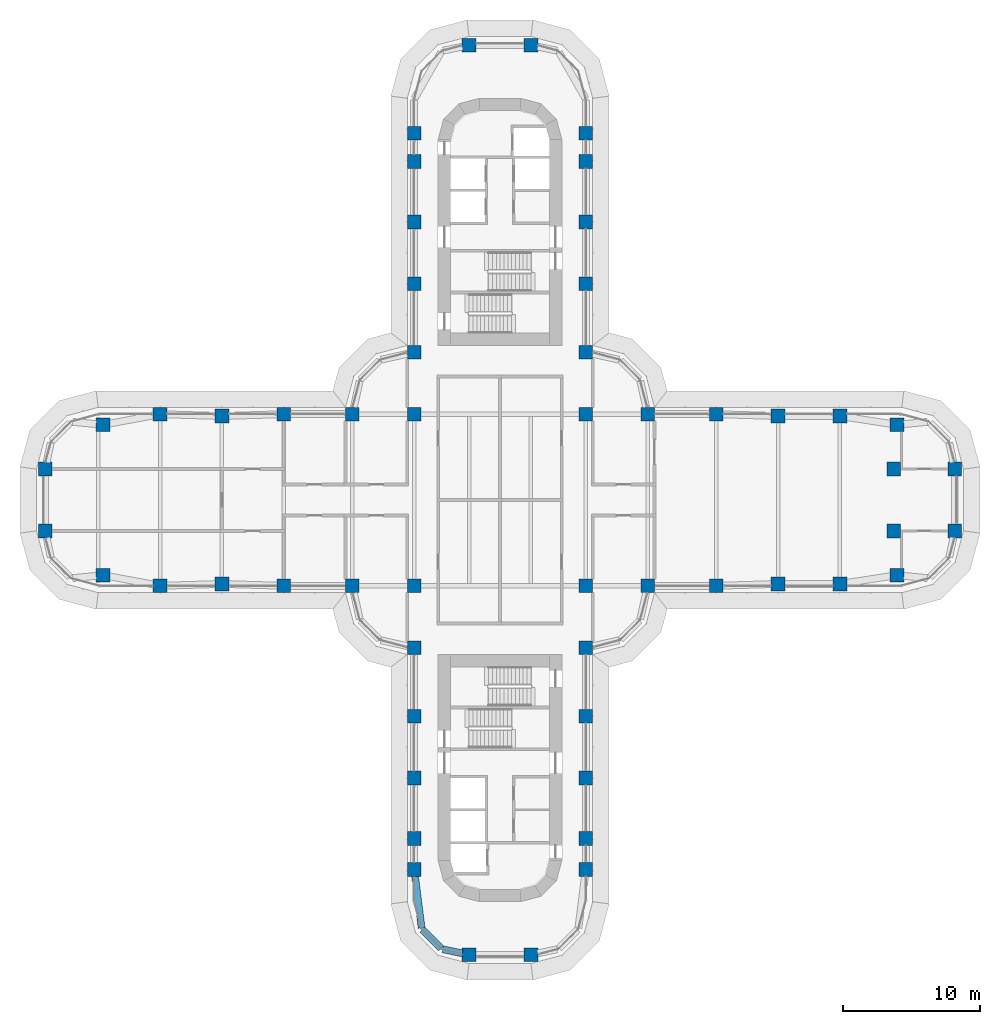
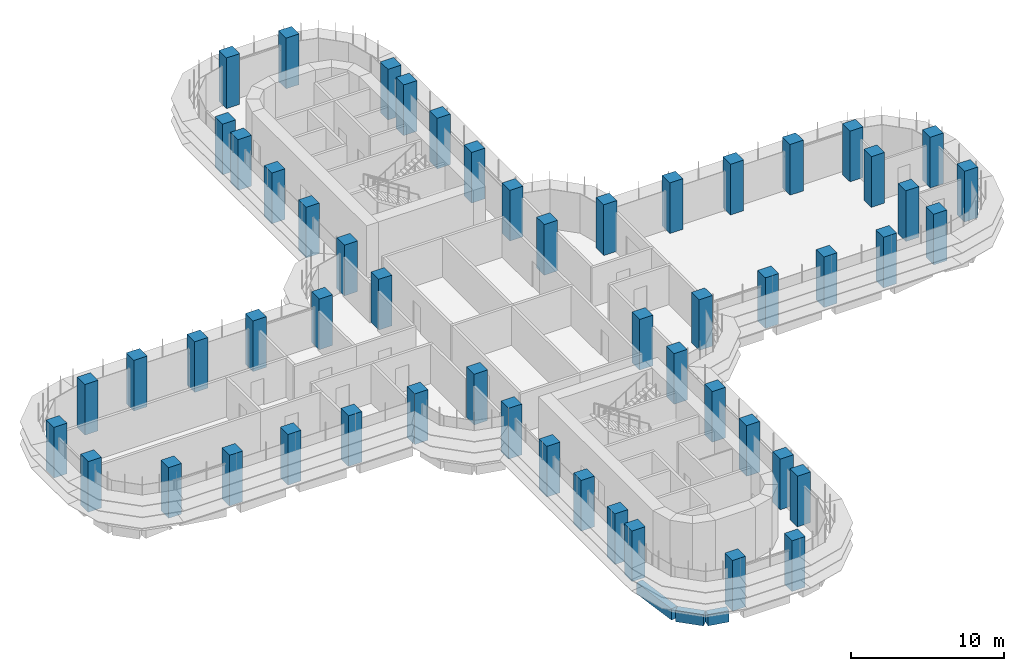
# One storey, part 1 of 23: 54 columns, 3 beams.
"""IFC4 building model written with IfcOpenShell, lengths in metres."""

from ifc_helpers import new_model, si_unit, direction, frame, origin, origin_2d, place, context, subcontext, project, spatial, rectangle, extrude, material, material_profile, profile_set, type_object, element, save


model = new_model("IFC4")

# Units and contexts
model_context = context("Model", 3, precision=1e-05, world=origin(), true_north=direction((0.0, 1.0)))
body_context = subcontext(model_context, "Body", "Model", "MODEL_VIEW")
ifc_project = project(units=[si_unit("LENGTHUNIT", "METRE"), si_unit("AREAUNIT", "SQUARE_METRE"), si_unit("VOLUMEUNIT", "CUBIC_METRE"), si_unit("PLANEANGLEUNIT", "RADIAN"), si_unit("MASSUNIT", "GRAM", prefix="KILO")], contexts=[model_context])

# Site, building, storey
site_placement = place(None, origin())
site = spatial("IfcSite", under=ifc_project, at=site_placement, CompositionType="ELEMENT")
building_placement = place(site_placement, origin())
building = spatial("IfcBuilding", under=site, at=building_placement, Name="Zarbagh Exchange Tower", CompositionType="ELEMENT")
storey_placement = place(building_placement, frame((0.0, 0.0, 60.60009765625)))
storey = spatial("IfcBuildingStorey", under=building, at=storey_placement, Name="L13", CompositionType="ELEMENT", Elevation=60.60009765625)

# Columns
ifc_material = material(Name="Concrete C60/75", Category="concrete")
ifc_material_profile_1 = material_profile(ifc_material, rectangle(XDim=1.0, YDim=1.0, at=origin_2d()), Name="RC column 1000 x 1000 C60/75")
ifc_profile_set_1 = profile_set([ifc_material_profile_1], Name="Concrete C60/75")
column_type = type_object("IfcColumnType", Name="RC column 1000 x 1000 C60/75", PredefinedType="COLUMN", material=ifc_profile_set_1)
for number, where, z_axis, x_axis, name in (
    (1, (-33.110107421875, -2.25, 0.0), (0.0, 0.0, 1.0), (1.0, 0.0, 0.0), "C2 10/S"),
    (2, (-33.110107421875, 2.25, 0.0), (0.0, 0.0, 1.0), (1.0, 0.0, 0.0), "C2 10/T"),
    (3, (-28.907958984375, -5.47509765625, 0.0), (0.0, 0.0, 1.0), (1.0, 0.0, 0.0), "C2 11/R"),
    (4, (-28.907958984375, 5.47509765625, 0.0), (0.0, 0.0, 1.0), (1.0, 0.0, 0.0), "C2 11/U"),
    (5, (-24.75, -6.25, 0.0), (0.0, 0.0, 1.0), (1.0, 0.0, 0.0), "C2 12/R"),
    (6, (-24.75, 6.25, 0.0), (0.0, 0.0, 1.0), (1.0, 0.0, 0.0), "C2 12/U"),
    (7, (-20.25, -6.110107421875, 0.0), (0.0, 0.0, 1.0), (1.0, 0.0, 0.0), "C2 13/R"),
    (8, (-20.25, 6.110107421875, 0.0), (0.0, 0.0, 1.0), (1.0, 0.0, 0.0), "C2 13/U"),
    (9, (-15.75, -6.25, 0.0), (0.0, 0.0, 1.0), (1.0, 0.0, 0.0), "C2 14/R"),
    (10, (-15.75, 6.25, 0.0), (0.0, 0.0, 1.0), (1.0, 0.0, 0.0), "C2 14/U"),
    (11, (-10.75, -6.25, 0.0), (0.0, 0.0, 1.0), (1.0, 0.0, 0.0), "C2 15/R"),
    (12, (-10.75, 6.25, 0.0), (0.0, 0.0, 1.0), (1.0, 0.0, 0.0), "C2 15/U"),
    (13, (-6.25, -26.89990234375, 0.0), (0.0, 0.0, 1.0), (1.0, 0.0, 0.0), "C2 16/L"),
    (14, (-6.25, -24.64990234375, 0.0), (0.0, 0.0, 1.0), (1.0, 0.0, 0.0), "C2 16/M"),
    (15, (-6.25, -20.25, 0.0), (0.0, 0.0, 1.0), (1.0, 0.0, 0.0), "C2 16/N"),
    (16, (-6.25, -15.75, 0.0), (0.0, 0.0, 1.0), (1.0, 0.0, 0.0), "C2 16/P"),
    (17, (-6.25, -10.75, 0.0), (0.0, 0.0, 1.0), (1.0, 0.0, 0.0), "C2 16/Q"),
    (18, (-6.25, -6.25, 0.0), (0.0, 0.0, 1.0), (1.0, 0.0, 0.0), "C2 16/R"),
    (19, (-6.25, 6.25, 0.0), (0.0, 0.0, 1.0), (1.0, 0.0, 0.0), "C2 16/U"),
    (20, (-6.25, 10.75, 0.0), (0.0, 0.0, 1.0), (1.0, 0.0, 0.0), "C2 16/V"),
    (21, (-6.25, 15.75, 0.0), (0.0, 0.0, 1.0), (1.0, 0.0, 0.0), "C2 16/W"),
    (22, (-6.25, 20.25, 0.0), (0.0, 0.0, 1.0), (1.0, 0.0, 0.0), "C2 16/X"),
    (23, (-6.25, 24.64990234375, 0.0), (0.0, 0.0, 1.0), (1.0, 0.0, 0.0), "C2 16/Y"),
    (24, (-6.25, 26.699951171875, 0.0), (0.0, 0.0, 1.0), (1.0, 0.0, 0.0), "C2 16/Z"),
    (25, (-2.25, -33.110107421875, 0.0), (0.0, 0.0, 1.0), (1.0, 0.0, 0.0), "C2 17/K"),
    (26, (-2.25, 33.110107421875, 0.0), (0.0, 0.0, 1.0), (1.0, 0.0, 0.0), "C2 17/AA"),
    (27, (2.25, -33.110107421875, 0.0), (0.0, 0.0, 1.0), (1.0, 0.0, 0.0), "C2 18/K"),
    (28, (2.25, 33.110107421875, 0.0), (0.0, 0.0, 1.0), (1.0, 0.0, 0.0), "C2 18/AA"),
    (29, (6.25, -26.89990234375, 0.0), (0.0, 0.0, 1.0), (1.0, 0.0, 0.0), "C2 19/L"),
    (30, (6.25, -24.64990234375, 0.0), (0.0, 0.0, 1.0), (1.0, 0.0, 0.0), "C2 19/M"),
    (31, (6.25, -20.25, 0.0), (0.0, 0.0, 1.0), (1.0, 0.0, 0.0), "C2 19/N"),
    (32, (6.25, -15.75, 0.0), (0.0, 0.0, 1.0), (1.0, 0.0, 0.0), "C2 19/P"),
    (33, (6.25, -10.75, 0.0), (0.0, 0.0, 1.0), (1.0, 0.0, 0.0), "C2 19/Q"),
    (34, (6.25, -6.25, 0.0), (0.0, 0.0, 1.0), (1.0, 0.0, 0.0), "C2 19/R"),
    (35, (6.25, 6.25, 0.0), (0.0, 0.0, 1.0), (1.0, 0.0, 0.0), "C2 19/U"),
    (36, (6.25, 10.75, 0.0), (0.0, 0.0, 1.0), (1.0, 0.0, 0.0), "C2 19/V"),
    (37, (6.25, 15.75, 0.0), (0.0, 0.0, 1.0), (1.0, 0.0, 0.0), "C2 19/W"),
    (38, (6.25, 20.25, 0.0), (0.0, 0.0, 1.0), (1.0, 0.0, 0.0), "C2 19/X"),
    (39, (6.25, 24.64990234375, 0.0), (0.0, 0.0, 1.0), (1.0, 0.0, 0.0), "C2 19/Y"),
    (40, (6.25, 26.699951171875, 0.0), (0.0, 0.0, 1.0), (1.0, 0.0, 0.0), "C2 19/Z"),
    (41, (10.75, -6.25, 0.0), (0.0, 0.0, 1.0), (1.0, 0.0, 0.0), "C2 20/R"),
    (42, (10.75, 6.25, 0.0), (0.0, 0.0, 1.0), (1.0, 0.0, 0.0), "C2 20/U"),
    (43, (15.75, -6.25, 0.0), (0.0, 0.0, 1.0), (1.0, 0.0, 0.0), "C2 21/R"),
    (44, (15.75, 6.25, 0.0), (0.0, 0.0, 1.0), (1.0, 0.0, 0.0), "C2 21/U"),
    (45, (20.25, -6.110107421875, 0.0), (0.0, 0.0, 1.0), (1.0, 0.0, 0.0), "C2 22/R"),
    (46, (20.25, 6.110107421875, 0.0), (0.0, 0.0, 1.0), (1.0, 0.0, 0.0), "C2 22/U"),
    (47, (24.75, -6.110107421875, 0.0), (0.0, 0.0, 1.0), (1.0, 0.0, 0.0), "C2 23/R"),
    (48, (24.75, 6.110107421875, 0.0), (0.0, 0.0, 1.0), (1.0, 0.0, 0.0), "C2 23/U"),
    (49, (28.907958984375, -5.47509765625, 0.0), (0.0, 0.0, 1.0), (1.0, 0.0, 0.0), "C2 24/R"),
    (50, (28.669921875, -2.25, 0.0), (0.0, 0.0, 1.0), (1.0, 0.0, 0.0), "C2 24/S"),
    (51, (28.669921875, 2.25, 0.0), (0.0, 0.0, 1.0), (1.0, 0.0, 0.0), "C2 24/T"),
    (52, (28.907958984375, 5.47509765625, 0.0), (0.0, 0.0, 1.0), (1.0, 0.0, 0.0), "C2 24/U"),
    (53, (33.110107421875, -2.25, 0.0), (0.0, 0.0, 1.0), (1.0, 0.0, 0.0), "C2 25/S"),
    (54, (33.110107421875, 2.25, 0.0), (0.0, 0.0, 1.0), (1.0, 0.0, 0.0), "C2 25/T"),
):
    element("IfcColumn", number, at=place(storey_placement, frame(where, z_axis=z_axis, x_axis=x_axis)), inside=storey, type_object=column_type, Name=name, PredefinedType="COLUMN", context=body_context, shape_type="SweptSolid", body=[
        extrude(rectangle(XDim=1.0, YDim=1.0, at=origin_2d()), origin(), (0.0, 0.0, 1.0), 4.0498046875),
    ])

# Beams
ifc_material_profile_2 = material_profile(ifc_material, rectangle(XDim=0.5, YDim=0.89990234375, at=origin_2d()), Name="RC spandrel beam 500 x 900 C60/75")
ifc_profile_set_2 = profile_set([ifc_material_profile_2], Name="Concrete C60/75")
beam_type = type_object("IfcBeamType", Name="RC spandrel beam 500 x 900 C60/75", PredefinedType="SPANDREL", material=ifc_profile_set_2)
beam_1_placement = place(storey_placement, frame((-2.73974609375, -33.0087890625, -0.60009765625), z_axis=(-0.9793713725, 0.202068589164, 0.0), x_axis=(-0.202068589164, -0.9793713725, 0.0)))
element("IfcBeam", 55, at=beam_1_placement, inside=storey, type_object=beam_type, Name="RC spandrel beam", PredefinedType="SPANDREL", context=body_context, shape_type="SweptSolid", body=[
    extrude(rectangle(XDim=0.5, YDim=0.89990234375, at=origin_2d()), origin(), (0.0, 0.0, 1.0), 1.458251953125),
])
beam_2_placement = place(storey_placement, frame((-4.294189453125, -32.64599609375, -0.60009765625), z_axis=(-0.707042571718, 0.707170984825, 0.0), x_axis=(-0.707170984825, -0.707042571718, 0.0)))
element("IfcBeam", 56, at=beam_2_placement, inside=storey, type_object=beam_type, Name="RC spandrel beam", PredefinedType="SPANDREL", context=body_context, shape_type="SweptSolid", body=[
    extrude(rectangle(XDim=0.5, YDim=0.89990234375, at=origin_2d()), origin(), (0.0, 0.0, 1.0), 1.901123046875),
])
beam_3_placement = place(storey_placement, frame((-5.709716796875, -31.156494140625, -0.60009765625), z_axis=(-0.12591317752, 0.992041265133, 0.0), x_axis=(-0.992041265133, -0.12591317752, 0.0)))
element("IfcBeam", 57, at=beam_3_placement, inside=storey, type_object=beam_type, Name="RC spandrel beam", PredefinedType="SPANDREL", context=body_context, shape_type="SweptSolid", body=[
    extrude(rectangle(XDim=0.5, YDim=0.89990234375, at=origin_2d()), origin(), (0.0, 0.0, 1.0), 3.790771484375),
])

save(model, "model.ifc")
